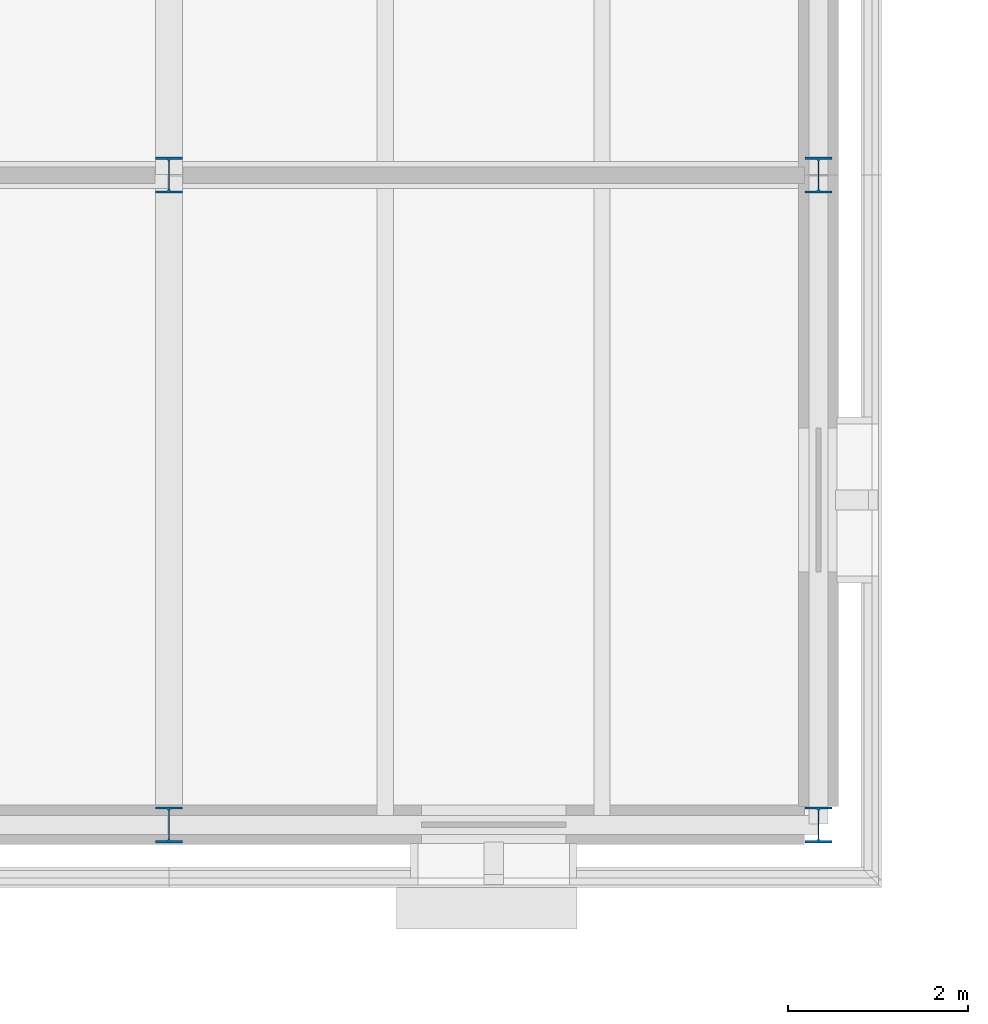
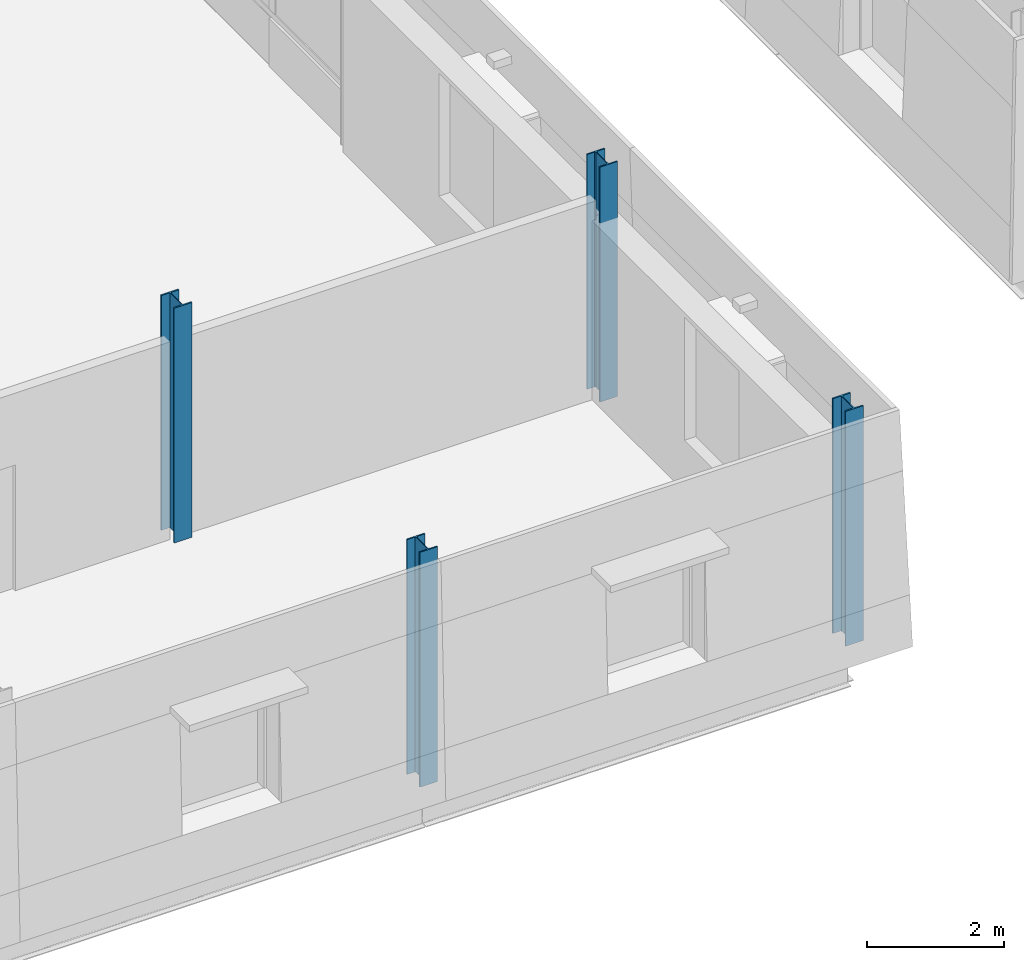
# One storey, part 3 of 115: 4 columns.
"""IFC4 building model written with IfcOpenShell, lengths in metres."""

from ifc_helpers import new_model, si_unit, direction, frame, origin, origin_2d, place, context, subcontext, project, spatial, i_section, extrude, material, material_profile, profile_set, type_object, element, save


model = new_model("IFC4")

# Units and contexts
model_context = context("Model", 3, precision=1e-05, world=origin(), true_north=direction((0.0, 1.0)))
body_context = subcontext(model_context, "Body", "Model", "MODEL_VIEW")
ifc_project = project(units=[si_unit("LENGTHUNIT", "METRE"), si_unit("AREAUNIT", "SQUARE_METRE"), si_unit("VOLUMEUNIT", "CUBIC_METRE"), si_unit("PLANEANGLEUNIT", "RADIAN"), si_unit("MASSUNIT", "GRAM", prefix="KILO")], contexts=[model_context])

# Site, building, storey
site_placement = place(None, origin())
site = spatial("IfcSite", under=ifc_project, at=site_placement, CompositionType="ELEMENT")
building_placement = place(site_placement, origin())
building = spatial("IfcBuilding", under=site, at=building_placement, Name="Narikvali Park Central Library", CompositionType="ELEMENT")
storey_placement = place(building_placement, frame((0.0, 0.0, 10.199951171875)))
storey = spatial("IfcBuildingStorey", under=building, at=storey_placement, Name="L02", CompositionType="ELEMENT", Elevation=10.199951171875)

# Columns
ifc_material = material(Name="Steel S355", Category="steel")
ifc_material_profile = material_profile(ifc_material, i_section(OverallWidth=0.300048828125, OverallDepth=0.39990234375, WebThickness=0.013427734375, FlangeThickness=0.02392578125, FilletRadius=0.027099609375, at=origin_2d()), Name="HEB 400")
ifc_profile_set = profile_set([ifc_material_profile], Name="Steel S355")
column_type = type_object("IfcColumnType", Name="Steel Column HEB400", PredefinedType="COLUMN", material=ifc_profile_set)
for number, where, z_axis, x_axis, name in (
    (1, (50.39990234375, 50.39990234375, 0.0), (0.0, 0.0, 1.0), (1.0, 0.0, 0.0), "V4 L02 Column (50.4,50.4)"),
    (2, (50.39990234375, 57.60009765625, 0.0), (0.0, 0.0, 1.0), (1.0, 0.0, 0.0), "V4 L02 Column (50.4,57.6)"),
    (3, (57.60009765625, 50.39990234375, 0.0), (0.0, 0.0, 1.0), (1.0, 0.0, 0.0), "V4 L02 Column (57.6,50.4)"),
    (4, (57.60009765625, 57.60009765625, 0.0), (0.0, 0.0, 1.0), (1.0, 0.0, 0.0), "V4 L02 Column (57.6,57.6)"),
):
    element("IfcColumn", number, at=place(storey_placement, frame(where, z_axis=z_axis, x_axis=x_axis)), inside=storey, type_object=column_type, Name=name, PredefinedType="COLUMN", context=body_context, shape_type="SweptSolid", body=[
        extrude(i_section(OverallWidth=0.300048828125, OverallDepth=0.39990234375, WebThickness=0.013427734375, FlangeThickness=0.02392578125, FilletRadius=0.027099609375, at=origin_2d()), origin(), (0.0, 0.0, 1.0), 4.199951171875),
    ])

save(model, "model.ifc")
